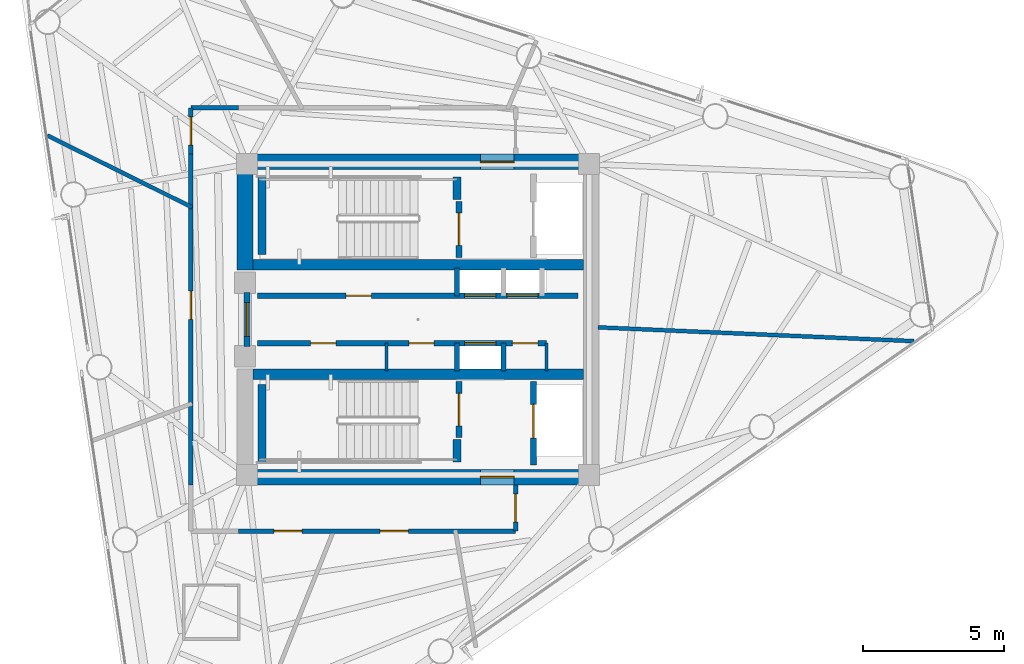
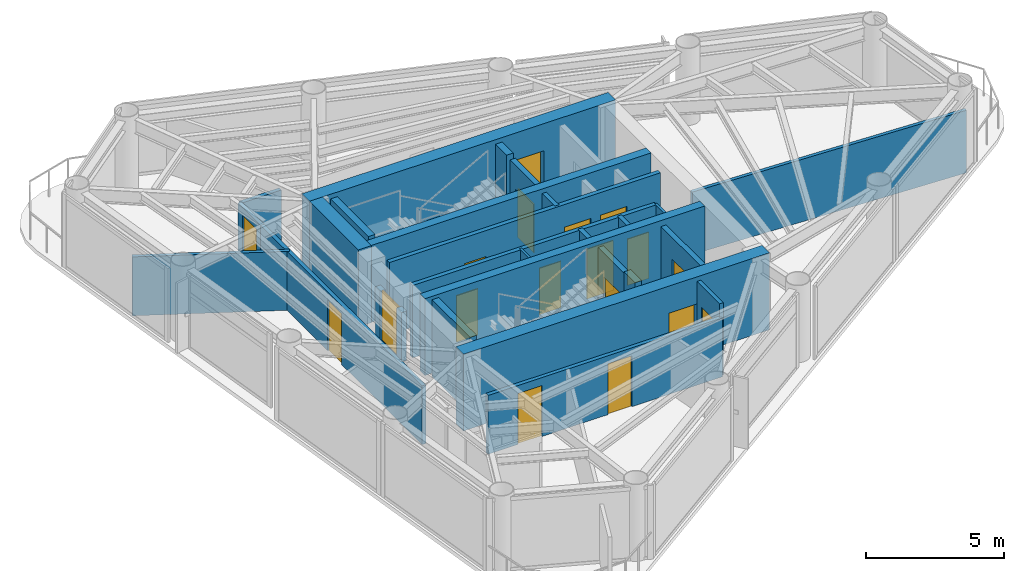
# One storey, part 5 of 9: 27 walls, 18 doors, 18 openings.
"""IFC4 building model written with IfcOpenShell, lengths in metres."""

import ifcopenshell
import ifcopenshell.guid

model = None  # the IFC model being written
_history = None  # IfcOwnerHistory: only IFC2X3 demands one
_inside = {}  # id of a spatial element -> (the spatial element, [elements in it])
_under = {}  # id of a project, library or spatial element -> (it, [spatial elements below it])
_declared = {}  # id of a project -> (the project, [libraries it declares])
_typed = {}  # id of a type object -> (the type object, [elements of that type])
_made_of = {}  # id of a material, layer set ... -> (it, [elements and type objects made of it])


def new_model(schema):
    """Start an empty IFC model of exactly this schema.

    Asked for "IFC4X3", IfcOpenShell would pick the latest addendum, in which some entities
    have other attributes; the version numbers below select the first issue.
    IFC2X3 requires an IfcOwnerHistory on every rooted entity: one is made here for all.
    """
    global model, _history
    if schema == "IFC4X3":
        model = ifcopenshell.file(schema_version=(4, 3, 0, 0))
    else:
        model = ifcopenshell.file(schema=schema)
    _inside.clear()
    _under.clear()
    _declared.clear()
    _typed.clear()
    _made_of.clear()
    _history = None
    if model.schema == "IFC2X3":
        org = make("IfcOrganization", Name="unknown")
        user = make(
            "IfcPersonAndOrganization",
            ThePerson=make("IfcPerson", FamilyName="unknown"),
            TheOrganization=org,
        )
        app = make(
            "IfcApplication",
            ApplicationDeveloper=org,
            Version="unknown",
            ApplicationFullName="unknown",
            ApplicationIdentifier="unknown",
        )
        _history = make(
            "IfcOwnerHistory",
            OwningUser=user,
            OwningApplication=app,
            ChangeAction="ADDED",
            CreationDate=0,
        )
    return model


def make(cls, **values):
    """One entity of the class cls with the attributes given. An attribute that is None is left unset."""
    return model.create_entity(
        cls, **{name: value for name, value in values.items() if value is not None}
    )


def rooted(cls, **values):
    """An entity with a GlobalId (a new one), such as an element, a storey or a relation."""
    return make(cls, GlobalId=ifcopenshell.guid.new(), OwnerHistory=_history, **values)


def si_unit(unit_type, name, prefix=None):
    """IfcSIUnit, for example si_unit("LENGTHUNIT", "METRE", prefix="MILLI")."""
    return make("IfcSIUnit", UnitType=unit_type, Prefix=prefix, Name=name)


def assignment(units):
    """IfcUnitAssignment: the units of a project."""
    return None if units is None else make("IfcUnitAssignment", Units=units)


def point(xyz):
    """IfcCartesianPoint."""
    return None if xyz is None else make("IfcCartesianPoint", Coordinates=xyz)


def direction(xyz):
    """IfcDirection."""
    return None if xyz is None else make("IfcDirection", DirectionRatios=xyz)


def frame(location, z_axis=None, x_axis=None):
    """IfcAxis2Placement3D, a coordinate frame: its origin and axes. An axis left out is left unset."""
    return make(
        "IfcAxis2Placement3D",
        Location=point(location),
        Axis=direction(z_axis),
        RefDirection=direction(x_axis),
    )


def frame_2d(location, x_axis=None):
    """IfcAxis2Placement2D, a coordinate frame in the plane: its origin and x axis."""
    return make(
        "IfcAxis2Placement2D", Location=point(location), RefDirection=direction(x_axis)
    )


def origin():
    """The frame at (0, 0, 0) with its axes left unset."""
    return frame((0.0, 0.0, 0.0))


def place(relative_to, where):
    """IfcLocalPlacement: puts the frame where relative to a parent placement (None: the world)."""
    return make(
        "IfcLocalPlacement", PlacementRelTo=relative_to, RelativePlacement=where
    )


def context(
    kind, dimensions, precision=None, world=None, true_north=None, identifier=None
):
    """IfcGeometricRepresentationContext, for example the 3D "Model" context."""
    return make(
        "IfcGeometricRepresentationContext",
        ContextIdentifier=identifier,
        ContextType=kind,
        CoordinateSpaceDimension=dimensions,
        Precision=precision,
        WorldCoordinateSystem=world,
        TrueNorth=true_north,
    )


def subcontext(parent, identifier, kind, view, scale=None):
    """IfcGeometricRepresentationSubContext, for example "Body" below "Model"."""
    return make(
        "IfcGeometricRepresentationSubContext",
        ContextIdentifier=identifier,
        ContextType=kind,
        ParentContext=parent,
        TargetScale=scale,
        TargetView=view,
    )


def project(units=None, contexts=None):
    """IfcProject with its units and contexts."""
    return rooted(
        "IfcProject",
        Name="project",
        RepresentationContexts=contexts,
        UnitsInContext=assignment(units),
    )


def spatial(cls, under=None, at=None, **own):
    """A site, building, storey or space (cls), placed at a placement, below another one or the project."""
    s = rooted(cls, ObjectPlacement=at, **own)
    if under is not None:
        _under.setdefault(under.id(), (under, []))[1].append(s)
    return s


def profile(cls, at=None, kind="AREA", **sizes):
    """A parametric profile (cls). Its sizes go by their IFC names, for example OverallWidth=200.0."""
    return make(cls, ProfileType=kind, Position=at, **sizes)


def rectangle(**sizes):
    """IfcRectangleProfileDef."""
    return profile("IfcRectangleProfileDef", **sizes)


def extrude(swept, where, along, depth):
    """IfcExtrudedAreaSolid: the profile swept, set in the frame where, extruded along a direction by depth."""
    return make(
        "IfcExtrudedAreaSolid",
        SweptArea=swept,
        Position=where,
        ExtrudedDirection=direction(along),
        Depth=depth,
    )


def shape(context_of_items, identifier, shape_type, items):
    """IfcShapeRepresentation: the items that make up one representation, for example the "Body"."""
    return make(
        "IfcShapeRepresentation",
        ContextOfItems=context_of_items,
        RepresentationIdentifier=identifier,
        RepresentationType=shape_type,
        Items=items,
    )


def material(Name=None, Category=None):
    """IfcMaterial."""
    return make("IfcMaterial", Name=Name, Category=Category)


def layer(
    of_material, thickness, ventilated=None, Name=None, Category=None, Priority=None
):
    """IfcMaterialLayer: one layer of a wall or slab, of a material (None: an air gap)."""
    return make(
        "IfcMaterialLayer",
        Material=of_material,
        LayerThickness=thickness,
        IsVentilated=ventilated,
        Name=Name,
        Category=Category,
        Priority=Priority,
    )


def layer_set(layers, Name=None):
    """IfcMaterialLayerSet."""
    return make("IfcMaterialLayerSet", MaterialLayers=layers, LayerSetName=Name)


def made_of(thing, what):
    """Note that an element or type object is made of a material, layer set ...; save() writes the relation."""
    if what is not None:
        _made_of.setdefault(what.id(), (what, []))[1].append(thing)
    return thing


def type_object(cls, material=None, **own):
    """A type object (cls), such as IfcWallType, which elements share."""
    return made_of(rooted(cls, **own), material)


def element(
    cls,
    number,
    at=None,
    inside=None,
    cuts=None,
    type_object=None,
    material=None,
    context=None,
    identifier="Body",
    shape_type=None,
    held_by="IfcProductDefinitionShape",
    body=None,
    shapes=None,
    **own,
):
    """One element of the class cls, such as IfcWall. Its Tag is "e" and its number.

    at: its placement. inside: the storey or other place that contains it. cuts: it is an
    opening in that element (IfcRelVoidsElement). A single representation is given by context,
    identifier, shape_type and body (its items); several are given by shapes. held_by: the class
    of the entity that holds the representations. save() writes the other relations.
    """
    e = rooted(cls, Tag="e%d" % number, ObjectPlacement=at, **own)
    if body is not None:
        shapes = [shape(context, identifier, shape_type, body)]
    if shapes is not None:
        e.Representation = make(held_by, Representations=shapes)
    if inside is not None:
        _inside.setdefault(inside.id(), (inside, []))[1].append(e)
    if cuts is not None:
        rooted(
            "IfcRelVoidsElement", RelatingBuildingElement=cuts, RelatedOpeningElement=e
        )
    if type_object is not None:
        _typed.setdefault(type_object.id(), (type_object, []))[1].append(e)
    return made_of(e, material)


def fill(opening, filler):
    """IfcRelFillsElement: the door or window that sits in an opening."""
    return rooted(
        "IfcRelFillsElement",
        RelatingOpeningElement=opening,
        RelatedBuildingElement=filler,
    )


def aggregate(whole, parts):
    """IfcRelAggregates: a whole, such as a stair, and the parts it consists of."""
    return rooted("IfcRelAggregates", RelatingObject=whole, RelatedObjects=parts)


def save(model, path):
    """Write the relations noted so far, then the file.

    IfcRelAggregates (storeys below a building ...), IfcRelContainedInSpatialStructure (elements
    in a storey), IfcRelDefinesByType, IfcRelAssociatesMaterial and IfcRelDeclares: one each for
    every whole, place, type object, material and project.
    """
    for whole, parts in _under.values():
        aggregate(whole, parts)
    for where, things in _inside.values():
        rooted(
            "IfcRelContainedInSpatialStructure",
            RelatedElements=things,
            RelatingStructure=where,
        )
    for kind, things in _typed.values():
        rooted("IfcRelDefinesByType", RelatedObjects=things, RelatingType=kind)
    for what, things in _made_of.values():
        rooted("IfcRelAssociatesMaterial", RelatedObjects=things, RelatingMaterial=what)
    for by, libraries in _declared.values():
        rooted("IfcRelDeclares", RelatingContext=by, RelatedDefinitions=libraries)
    model.write(path)


model = new_model("IFC4")

# Units and contexts
model_context = context("Model", 3, precision=1e-05, world=origin(), true_north=direction((0.0, 1.0)))
body_context = subcontext(model_context, "Body", "Model", "MODEL_VIEW")
ifc_project = project(units=[si_unit("LENGTHUNIT", "METRE"), si_unit("AREAUNIT", "SQUARE_METRE"), si_unit("VOLUMEUNIT", "CUBIC_METRE"), si_unit("PLANEANGLEUNIT", "RADIAN"), si_unit("MASSUNIT", "GRAM", prefix="KILO")], contexts=[model_context])

# Site, building, storey
site_placement = place(None, origin())
site = spatial("IfcSite", under=ifc_project, at=site_placement, CompositionType="ELEMENT")
building_placement = place(site_placement, origin())
building = spatial("IfcBuilding", under=site, at=building_placement, Name="Yunling Apex Tower", CompositionType="ELEMENT")
storey_placement = place(building_placement, frame((0.0, 0.0, 271.14990234375)))
storey = spatial("IfcBuildingStorey", under=building, at=storey_placement, Name="L66", CompositionType="ELEMENT", Elevation=271.14990234375)

# Wall, opening, door
ifc_material_1 = material(Name="Concrete C40", Category="concrete")
ifc_layer_1 = layer(ifc_material_1, 0.550048828125)
ifc_layer_set_1 = layer_set([ifc_layer_1], Name="Concrete C40")
wall_type_1 = type_object("IfcWallType", Name="WL-COR-3", PredefinedType="SHEAR", material=ifc_layer_set_1)
wall_1_placement = place(storey_placement, frame((-6.39990234375, 5.574951171875, 0.0), z_axis=(0.0, 0.0, 1.0), x_axis=(1.0, 0.0, 0.0)))
wall_1 = element("IfcWall", 1, at=wall_1_placement, inside=storey, type_object=wall_type_1, Name="L66 North Core Shear Wall", PredefinedType="SHEAR", context=body_context, shape_type="SweptSolid", body=[
    extrude(rectangle(XDim=12.7998046875, YDim=0.550048828125, at=frame_2d((6.39990234375, 0.0))), origin(), (0.0, 0.0, 1.0), 3.400146484375),
])
opening_1_placement = place(wall_1_placement, frame((8.60009765625, 0.0, 0.0)))
opening_1 = element("IfcOpeningElement", 2, at=opening_1_placement, cuts=wall_1, Name="Opening DR-FFL-1", PredefinedType="OPENING", context=body_context, shape_type="SweptSolid", body=[
    extrude(rectangle(XDim=1.199951171875, YDim=2.199951171875, at=frame_2d((0.60009765625, 1.10009765625))), frame((0.0, 0.28515625, 0.0), z_axis=(0.0, -1.0, 0.0), x_axis=(1.0, 0.0, 0.0)), (0.0, 0.0, 1.0), 0.570068359375),
])
ifc_material_2 = material(Name="Steel Q355B", Category="steel")
door_type_1 = type_object("IfcDoorType", Name="DR-FFL-1", OperationType="NOTDEFINED", PredefinedType="DOOR", material=ifc_material_2)
door_1_placement = place(opening_1_placement, origin())
door_1 = element("IfcDoor", 3, at=door_1_placement, inside=storey, type_object=door_type_1, Name="L66 North Firefighting Lobby Door", OperationType="SINGLE_SWING_LEFT", OverallHeight=2.199951171875, OverallWidth=1.199951171875, PredefinedType="DOOR", context=body_context, shape_type="SweptSolid", body=[
    extrude(rectangle(XDim=1.199951171875, YDim=2.199951171875, at=frame_2d((0.60009765625, 1.10009765625))), frame((0.0, 0.02490234375, 0.0), z_axis=(0.0, -1.0, 0.0), x_axis=(1.0, 0.0, 0.0)), (0.0, 0.0, 1.0), 0.050048828125),
])
fill(opening_1, door_1)

wall_2_placement = place(storey_placement, frame((-6.39990234375, -5.574951171875, 0.0), z_axis=(0.0, 0.0, 1.0), x_axis=(1.0, 0.0, 0.0)))
wall_2 = element("IfcWall", 4, at=wall_2_placement, inside=storey, type_object=wall_type_1, Name="L66 South Core Shear Wall", PredefinedType="SHEAR", context=body_context, shape_type="SweptSolid", body=[
    extrude(rectangle(XDim=12.7998046875, YDim=0.550048828125, at=frame_2d((6.39990234375, 0.0))), origin(), (0.0, 0.0, 1.0), 3.400146484375),
])
opening_2_placement = place(wall_2_placement, frame((8.60009765625, 0.0, 0.0)))
opening_2 = element("IfcOpeningElement", 5, at=opening_2_placement, cuts=wall_2, Name="Opening DR-FFL-1", PredefinedType="OPENING", context=body_context, shape_type="SweptSolid", body=[
    extrude(rectangle(XDim=1.199951171875, YDim=2.199951171875, at=frame_2d((0.60009765625, 1.10009765625))), frame((0.0, 0.28515625, 0.0), z_axis=(0.0, -1.0, 0.0), x_axis=(1.0, 0.0, 0.0)), (0.0, 0.0, 1.0), 0.570068359375),
])
door_2_placement = place(opening_2_placement, origin())
door_2 = element("IfcDoor", 6, at=door_2_placement, inside=storey, type_object=door_type_1, Name="L66 South Firefighting Lobby Door", OperationType="SINGLE_SWING_RIGHT", OverallHeight=2.199951171875, OverallWidth=1.199951171875, PredefinedType="DOOR", context=body_context, shape_type="SweptSolid", body=[
    extrude(rectangle(XDim=1.199951171875, YDim=2.199951171875, at=frame_2d((0.60009765625, 1.10009765625))), frame((0.0, 0.02490234375, 0.0), z_axis=(0.0, -1.0, 0.0), x_axis=(1.0, 0.0, 0.0)), (0.0, 0.0, 1.0), 0.050048828125),
])
fill(opening_2, door_2)

# Walls
wall_3_placement = place(storey_placement, frame((-6.125, 1.75, 0.0), z_axis=(0.0, 0.0, 1.0), x_axis=(0.0, 1.0, 0.0)))
element("IfcWall", 7, at=wall_3_placement, inside=storey, type_object=wall_type_1, Name="L66 West-North Core Shear Wall", PredefinedType="SHEAR", context=body_context, shape_type="SweptSolid", body=[
    extrude(rectangle(XDim=3.550048828125, YDim=0.550048828125, at=frame_2d((1.77490234375, 0.0))), origin(), (0.0, 0.0, 1.0), 3.400146484375),
])
ifc_layer_2 = layer(ifc_material_1, 0.360107421875)
ifc_layer_set_2 = layer_set([ifc_layer_2], Name="Concrete C40")
wall_type_2 = type_object("IfcWallType", Name="WL-COR-4", PredefinedType="SHEAR", material=ifc_layer_set_2)
for number, where, z_axis, x_axis, name in (
    (8, (-5.85009765625, 1.93994140625, 0.0), (0.0, 0.0, 1.0), (1.0, 0.0, 0.0), "L66 North Internal Core Shear Wall"),
    (9, (-5.85009765625, -1.93994140625, 0.0), (0.0, 0.0, 1.0), (1.0, 0.0, 0.0), "L66 South Internal Core Shear Wall"),
):
    element("IfcWall", number, at=place(storey_placement, frame(where, z_axis=z_axis, x_axis=x_axis)), inside=storey, type_object=wall_type_2, Name=name, PredefinedType="SHEAR", context=body_context, shape_type="SweptSolid", body=[
        extrude(rectangle(XDim=11.7001953125, YDim=0.360107421875, at=frame_2d((5.85009765625, 0.0))), origin(), (0.0, 0.0, 1.0), 3.400146484375),
    ])
ifc_layer_3 = layer(ifc_material_1, 0.280029296875)
ifc_layer_set_3 = layer_set([ifc_layer_3], Name="Concrete C40")
wall_type_3 = type_object("IfcWallType", Name="WL-COR-8", PredefinedType="SHEAR", material=ifc_layer_set_3)
wall_4_placement = place(storey_placement, frame((-5.52001953125, 2.300048828125, 0.0), z_axis=(0.0, 0.0, 1.0), x_axis=(0.0, 1.0, 0.0)))
element("IfcWall", 10, at=wall_4_placement, inside=storey, type_object=wall_type_3, Name="L66 ST-1 West Landing Bearing Wall", PredefinedType="SHEAR", context=body_context, shape_type="SweptSolid", body=[
    extrude(rectangle(XDim=2.75, YDim=0.280029296875, at=frame_2d((1.375, 0.0))), origin(), (0.0, 0.0, 1.0), 3.400146484375),
])
wall_5_placement = place(storey_placement, frame((1.3798828125, 4.25, 0.0), z_axis=(0.0, 0.0, 1.0), x_axis=(0.0, 1.0, 0.0)))
element("IfcWall", 11, at=wall_5_placement, inside=storey, type_object=wall_type_3, Name="L66 ST-1 East Landing Bearing Pier", PredefinedType="SHEAR", context=body_context, shape_type="SweptSolid", body=[
    extrude(rectangle(XDim=0.800048828125, YDim=0.280029296875, at=frame_2d((0.39990234375, 0.0))), origin(), (0.0, 0.0, 1.0), 3.400146484375),
])
wall_6_placement = place(storey_placement, frame((-5.52001953125, -5.050048828125, 0.0), z_axis=(0.0, 0.0, 1.0), x_axis=(0.0, 1.0, 0.0)))
element("IfcWall", 12, at=wall_6_placement, inside=storey, type_object=wall_type_3, Name="L66 ST-2 West Landing Bearing Wall", PredefinedType="SHEAR", context=body_context, shape_type="SweptSolid", body=[
    extrude(rectangle(XDim=2.75, YDim=0.280029296875, at=frame_2d((1.375, 0.0))), origin(), (0.0, 0.0, 1.0), 3.400146484375),
])
wall_7_placement = place(storey_placement, frame((1.3798828125, -5.050048828125, 0.0), z_axis=(0.0, 0.0, 1.0), x_axis=(0.0, 1.0, 0.0)))
element("IfcWall", 13, at=wall_7_placement, inside=storey, type_object=wall_type_3, Name="L66 ST-2 East Landing Bearing Pier", PredefinedType="SHEAR", context=body_context, shape_type="SweptSolid", body=[
    extrude(rectangle(XDim=0.800048828125, YDim=0.280029296875, at=frame_2d((0.39990234375, 0.0))), origin(), (0.0, 0.0, 1.0), 3.400146484375),
])

# Wall, opening, door
ifc_material_3 = material(Name="Gypsum board acoustic partition")
ifc_layer_4 = layer(ifc_material_3, 0.159912109375)
ifc_layer_set_4 = layer_set([ifc_layer_4], Name="Gypsum board acoustic partition")
wall_type_4 = type_object("IfcWallType", Name="WL-PRT-1", PredefinedType="PARTITIONING", material=ifc_layer_set_4)
wall_8_placement = place(storey_placement, frame((-8.0400390625, 5.85009765625, 0.0), z_axis=(0.0, 0.0, 1.0), x_axis=(0.0, 1.0, 0.0)))
wall_8 = element("IfcWall", 14, at=wall_8_placement, inside=storey, type_object=wall_type_4, Name="WL-CORR-L66-01", PredefinedType="PARTITIONING", context=body_context, shape_type="SweptSolid", body=[
    extrude(rectangle(XDim=1.639892578125, YDim=0.159912109375, at=frame_2d((0.81982421875, 0.0))), origin(), (0.0, 0.0, 1.0), 2.60498046875),
])
opening_3_placement = place(wall_8_placement, frame((0.320068359375, 0.0, 0.0)))
opening_3 = element("IfcOpeningElement", 15, at=opening_3_placement, cuts=wall_8, Name="Opening DR-OFF-1", PredefinedType="OPENING", context=body_context, shape_type="SweptSolid", body=[
    extrude(rectangle(XDim=1.0, YDim=2.25, at=frame_2d((0.5, 1.125))), frame((0.0, 0.08984375, 0.0), z_axis=(0.0, -1.0, 0.0), x_axis=(1.0, 0.0, 0.0)), (0.0, 0.0, 1.0), 0.179931640625),
])
ifc_material_4 = material(Name="Bronze anodised aluminium", Category="aluminium")
door_type_2 = type_object("IfcDoorType", Name="DR-OFF-1", OperationType="NOTDEFINED", PredefinedType="DOOR", material=ifc_material_4)
door_3_placement = place(opening_3_placement, origin())
door_3 = element("IfcDoor", 16, at=door_3_placement, inside=storey, type_object=door_type_2, Name="L66 Residents Music Salon Door", OperationType="SINGLE_SWING_RIGHT", OverallHeight=2.25, OverallWidth=1.0, PredefinedType="DOOR", context=body_context, shape_type="SweptSolid", body=[
    extrude(rectangle(XDim=1.0, YDim=2.25, at=frame_2d((0.5, 1.125))), frame((0.0, 0.02490234375, 0.0), z_axis=(0.0, -1.0, 0.0), x_axis=(1.0, 0.0, 0.0)), (0.0, 0.0, 1.0), 0.050048828125),
])
fill(opening_3, door_3)

# Wall
wall_9_placement = place(storey_placement, frame((-8.0400390625, 7.489990234375, 0.0), z_axis=(0.0, 0.0, 1.0), x_axis=(1.0, 0.0, 0.0)))
element("IfcWall", 17, at=wall_9_placement, inside=storey, type_object=wall_type_4, Name="WL-CORR-L66-02", PredefinedType="PARTITIONING", context=body_context, shape_type="SweptSolid", body=[
    extrude(rectangle(XDim=1.679931640625, YDim=0.159912109375, at=frame_2d((0.83984375, 0.0))), origin(), (0.0, 0.0, 1.0), 2.60498046875),
])

# Wall, opening, door
wall_10_placement = place(storey_placement, frame((3.449951171875, -5.85009765625, 0.0), z_axis=(0.0, 0.0, 1.0), x_axis=(0.0, -1.0, 0.0)))
wall_10 = element("IfcWall", 18, at=wall_10_placement, inside=storey, type_object=wall_type_4, Name="WL-CORR-L66-05", PredefinedType="PARTITIONING", context=body_context, shape_type="SweptSolid", body=[
    extrude(rectangle(XDim=1.639892578125, YDim=0.159912109375, at=frame_2d((0.81982421875, 0.0))), origin(), (0.0, 0.0, 1.0), 3.2001953125),
])
opening_4_placement = place(wall_10_placement, frame((0.320068359375, 0.0, 0.0)))
opening_4 = element("IfcOpeningElement", 19, at=opening_4_placement, cuts=wall_10, Name="Opening DR-OFF-1", PredefinedType="OPENING", context=body_context, shape_type="SweptSolid", body=[
    extrude(rectangle(XDim=1.0, YDim=2.25, at=frame_2d((0.5, 1.125))), frame((0.0, 0.08984375, 0.0), z_axis=(0.0, -1.0, 0.0), x_axis=(1.0, 0.0, 0.0)), (0.0, 0.0, 1.0), 0.179931640625),
])
door_4_placement = place(opening_4_placement, origin())
door_4 = element("IfcDoor", 20, at=door_4_placement, inside=storey, type_object=door_type_2, Name="L66 Residents Cinema Club Door", OperationType="SINGLE_SWING_LEFT", OverallHeight=2.25, OverallWidth=1.0, PredefinedType="DOOR", context=body_context, shape_type="SweptSolid", body=[
    extrude(rectangle(XDim=1.0, YDim=2.25, at=frame_2d((0.5, 1.125))), frame((0.0, 0.02490234375, 0.0), z_axis=(0.0, -1.0, 0.0), x_axis=(1.0, 0.0, 0.0)), (0.0, 0.0, 1.0), 0.050048828125),
])
fill(opening_4, door_4)

# Wall, openings, doors
wall_11_placement = place(storey_placement, frame((3.449951171875, -7.489990234375, 0.0), z_axis=(0.0, 0.0, 1.0), x_axis=(-1.0, 0.0, 0.0)))
wall_11 = element("IfcWall", 21, at=wall_11_placement, inside=storey, type_object=wall_type_4, Name="WL-CORR-L66-06", PredefinedType="PARTITIONING", context=body_context, shape_type="SweptSolid", body=[
    extrude(rectangle(XDim=9.81005859375, YDim=0.159912109375, at=frame_2d((4.905029296875, 0.0))), origin(), (0.0, 0.0, 1.0), 2.60498046875),
])
opening_5_placement = place(wall_11_placement, frame((3.794677734375, 0.0, 0.0)))
opening_5 = element("IfcOpeningElement", 22, at=opening_5_placement, cuts=wall_11, Name="Opening DR-OFF-1", PredefinedType="OPENING", context=body_context, shape_type="SweptSolid", body=[
    extrude(rectangle(XDim=1.0, YDim=2.25, at=frame_2d((0.5, 1.125))), frame((0.0, 0.08984375, 0.0), z_axis=(0.0, -1.0, 0.0), x_axis=(1.0, 0.0, 0.0)), (0.0, 0.0, 1.0), 0.179931640625),
])
opening_6_placement = place(wall_11_placement, frame((7.552978515625, 0.0, 0.0)))
opening_6 = element("IfcOpeningElement", 23, at=opening_6_placement, cuts=wall_11, Name="Opening DR-OFF-1", PredefinedType="OPENING", context=body_context, shape_type="SweptSolid", body=[
    extrude(rectangle(XDim=1.0, YDim=2.25, at=frame_2d((0.5, 1.125))), frame((0.0, 0.08984375, 0.0), z_axis=(0.0, -1.0, 0.0), x_axis=(1.0, 0.0, 0.0)), (0.0, 0.0, 1.0), 0.179931640625),
])
door_5_placement = place(opening_5_placement, origin())
door_5 = element("IfcDoor", 24, at=door_5_placement, inside=storey, type_object=door_type_2, Name="L66 Residents Music Salon Door", OperationType="SINGLE_SWING_RIGHT", OverallHeight=2.25, OverallWidth=1.0, PredefinedType="DOOR", context=body_context, shape_type="SweptSolid", body=[
    extrude(rectangle(XDim=1.0, YDim=2.25, at=frame_2d((0.5, 1.125))), frame((0.0, 0.02490234375, 0.0), z_axis=(0.0, -1.0, 0.0), x_axis=(1.0, 0.0, 0.0)), (0.0, 0.0, 1.0), 0.050048828125),
])
fill(opening_5, door_5)
door_6_placement = place(opening_6_placement, origin())
door_6 = element("IfcDoor", 25, at=door_6_placement, inside=storey, type_object=door_type_2, Name="L66 Residents Cinema Club Door", OperationType="SINGLE_SWING_LEFT", OverallHeight=2.25, OverallWidth=1.0, PredefinedType="DOOR", context=body_context, shape_type="SweptSolid", body=[
    extrude(rectangle(XDim=1.0, YDim=2.25, at=frame_2d((0.5, 1.125))), frame((0.0, 0.02490234375, 0.0), z_axis=(0.0, -1.0, 0.0), x_axis=(1.0, 0.0, 0.0)), (0.0, 0.0, 1.0), 0.050048828125),
])
fill(opening_6, door_6)

# Wall, opening, door
wall_12_placement = place(storey_placement, frame((-8.0400390625, -5.85009765625, 0.0), z_axis=(0.0, 0.0, 1.0), x_axis=(0.0, 1.0, 0.0)))
wall_12 = element("IfcWall", 26, at=wall_12_placement, inside=storey, type_object=wall_type_4, Name="WL-CORR-L66-09", PredefinedType="PARTITIONING", context=body_context, shape_type="SweptSolid", body=[
    extrude(rectangle(XDim=11.7001953125, YDim=0.159912109375, at=frame_2d((5.85009765625, 0.0))), origin(), (0.0, 0.0, 1.0), 2.60498046875),
])
opening_7_placement = place(wall_12_placement, frame((5.85546875, 0.0, 0.0)))
opening_7 = element("IfcOpeningElement", 27, at=opening_7_placement, cuts=wall_12, Name="Opening DR-OFF-1", PredefinedType="OPENING", context=body_context, shape_type="SweptSolid", body=[
    extrude(rectangle(XDim=1.0, YDim=2.25, at=frame_2d((0.5, 1.125))), frame((0.0, 0.08984375, 0.0), z_axis=(0.0, -1.0, 0.0), x_axis=(1.0, 0.0, 0.0)), (0.0, 0.0, 1.0), 0.179931640625),
])
door_7_placement = place(opening_7_placement, origin())
door_7 = element("IfcDoor", 28, at=door_7_placement, inside=storey, type_object=door_type_2, Name="L66 Residents Cinema Club Door", OperationType="SINGLE_SWING_RIGHT", OverallHeight=2.25, OverallWidth=1.0, PredefinedType="DOOR", context=body_context, shape_type="SweptSolid", body=[
    extrude(rectangle(XDim=1.0, YDim=2.25, at=frame_2d((0.5, 1.125))), frame((0.0, 0.02490234375, 0.0), z_axis=(0.0, -1.0, 0.0), x_axis=(1.0, 0.0, 0.0)), (0.0, 0.0, 1.0), 0.050048828125),
])
fill(opening_7, door_7)

# Walls
ifc_layer_5 = layer(ifc_material_3, 0.139892578125)
ifc_layer_set_5 = layer_set([ifc_layer_5], Name="Gypsum board acoustic partition")
wall_type_5 = type_object("IfcWallType", Name="WL-PRT-2", PredefinedType="PARTITIONING", material=ifc_layer_set_5)
wall_13_placement = place(storey_placement, frame((6.360107421875, -0.277587890625, 0.0), z_axis=(0.0, 0.0, 1.0), x_axis=(0.999047788643, -0.043629302162, 0.0)))
element("IfcWall", 29, at=wall_13_placement, inside=storey, type_object=wall_type_5, Name="WL-RAD-L66-01", PredefinedType="PARTITIONING", context=body_context, shape_type="SweptSolid", body=[
    extrude(rectangle(XDim=11.197265625, YDim=0.139892578125, at=frame_2d((5.5986328125, 0.0))), origin(), (0.0, 0.0, 1.0), 2.76513671875),
])
wall_14_placement = place(storey_placement, frame((-8.0, 3.97119140625, 0.0), z_axis=(0.0, 0.0, 1.0), x_axis=(-0.895714476241, 0.444629707793, 0.0)))
element("IfcWall", 30, at=wall_14_placement, inside=storey, type_object=wall_type_5, Name="WL-RAD-L66-04", PredefinedType="PARTITIONING", context=body_context, shape_type="SweptSolid", body=[
    extrude(rectangle(XDim=5.7109375, YDim=0.139892578125, at=frame_2d((2.85546875, 0.0))), origin(), (0.0, 0.0, 1.0), 2.60498046875),
])
ifc_layer_6 = layer(ifc_material_3, 0.10009765625)
ifc_layer_set_6 = layer_set([ifc_layer_6], Name="Gypsum board acoustic partition")
wall_type_6 = type_object("IfcWallType", Name="WL-PRT-4", PredefinedType="PARTITIONING", material=ifc_layer_set_6)
for number, where, z_axis, x_axis, name in (
    (31, (-1.1201171875, -1.820068359375, 0.0), (0.0, 0.0, 1.0), (0.0, 1.0, 0.0), "WL-RECLMA-S-L66"),
    (32, (4.5400390625, -1.820068359375, 0.0), (0.0, 0.0, 1.0), (0.0, 1.0, 0.0), "WL-KASE-E-L66"),
):
    element("IfcWall", number, at=place(storey_placement, frame(where, z_axis=z_axis, x_axis=x_axis)), inside=storey, type_object=wall_type_6, Name=name, PredefinedType="PARTITIONING", context=body_context, shape_type="SweptSolid", body=[
        extrude(rectangle(XDim=0.97998046875, YDim=0.10009765625, at=frame_2d((0.489990234375, 0.0))), origin(), (0.0, 0.0, 1.0), 3.2001953125),
    ])

# Wall, opening, door
ifc_material_5 = material(Name="Autoclaved aerated concrete masonry", Category="masonry")
ifc_layer_7 = layer(ifc_material_5, 0.219970703125)
ifc_layer_set_7 = layer_set([ifc_layer_7], Name="Autoclaved aerated concrete masonry")
wall_type_7 = type_object("IfcWallType", Name="WL-SHF-1", PredefinedType="PLUMBINGWALL", material=ifc_layer_set_7)
wall_15_placement = place(storey_placement, frame((-6.050048828125, -0.949951171875, 0.0), z_axis=(0.0, 0.0, 1.0), x_axis=(0.0, 1.0, 0.0)))
wall_15 = element("IfcWall", 33, at=wall_15_placement, inside=storey, type_object=wall_type_7, Name="WL-COR-WPORT-L66", PredefinedType="PLUMBINGWALL", context=body_context, shape_type="SweptSolid", body=[
    extrude(rectangle(XDim=1.89990234375, YDim=0.219970703125, at=frame_2d((0.949951171875, 0.0))), origin(), (0.0, 0.0, 1.0), 2.18017578125),
])
opening_8_placement = place(wall_15_placement, frame((0.35009765625, 0.0, 0.0)))
opening_8 = element("IfcOpeningElement", 34, at=opening_8_placement, cuts=wall_15, Name="Opening DR-FFL-1", PredefinedType="OPENING", context=body_context, shape_type="SweptSolid", body=[
    extrude(rectangle(XDim=1.199951171875, YDim=2.199951171875, at=frame_2d((0.60009765625, 1.10009765625))), frame((0.0, 0.1201171875, 0.0), z_axis=(0.0, -1.0, 0.0), x_axis=(1.0, 0.0, 0.0)), (0.0, 0.0, 1.0), 0.239990234375),
])
door_8_placement = place(opening_8_placement, origin())
door_8 = element("IfcDoor", 35, at=door_8_placement, inside=storey, type_object=door_type_1, Name="L66 Passenger Lift Lobby Entrance Door", OperationType="SINGLE_SWING_LEFT", OverallHeight=2.199951171875, OverallWidth=1.199951171875, PredefinedType="DOOR", context=body_context, shape_type="SweptSolid", body=[
    extrude(rectangle(XDim=1.199951171875, YDim=2.199951171875, at=frame_2d((0.60009765625, 1.10009765625))), frame((0.0, 0.02490234375, 0.0), z_axis=(0.0, -1.0, 0.0), x_axis=(1.0, 0.0, 0.0)), (0.0, 0.0, 1.0), 0.050048828125),
])
fill(opening_8, door_8)

wall_16_placement = place(storey_placement, frame((1.449951171875, 2.199951171875, 0.0), z_axis=(0.0, 0.0, 1.0), x_axis=(0.0, 1.0, 0.0)))
wall_16 = element("IfcWall", 36, at=wall_16_placement, inside=storey, type_object=wall_type_7, Name="WL-ST1-E-L66", PredefinedType="PLUMBINGWALL", context=body_context, shape_type="SweptSolid", body=[
    extrude(rectangle(XDim=1.97998046875, YDim=0.219970703125, at=frame_2d((0.989990234375, 0.0))), origin(), (0.0, 0.0, 1.0), 3.2001953125),
])
opening_9_placement = place(wall_16_placement, frame((0.419921875, 0.0, 0.0)))
opening_9 = element("IfcOpeningElement", 37, at=opening_9_placement, cuts=wall_16, Name="Opening DR-ST-1", PredefinedType="OPENING", context=body_context, shape_type="SweptSolid", body=[
    extrude(rectangle(XDim=1.14990234375, YDim=2.14990234375, at=frame_2d((0.574951171875, 1.074951171875))), frame((0.0, 0.1201171875, 0.0), z_axis=(0.0, -1.0, 0.0), x_axis=(1.0, 0.0, 0.0)), (0.0, 0.0, 1.0), 0.239990234375),
])
door_type_3 = type_object("IfcDoorType", Name="DR-ST-1", OperationType="NOTDEFINED", PredefinedType="DOOR", material=ifc_material_2)
door_9_placement = place(opening_9_placement, origin())
door_9 = element("IfcDoor", 38, at=door_9_placement, inside=storey, type_object=door_type_3, Name="L66 Stair ST-1 Fire Door", OperationType="SINGLE_SWING_LEFT", OverallHeight=2.14990234375, OverallWidth=1.14990234375, PredefinedType="DOOR", context=body_context, shape_type="SweptSolid", body=[
    extrude(rectangle(XDim=1.14990234375, YDim=2.14990234375, at=frame_2d((0.574951171875, 1.074951171875))), frame((0.0, 0.02490234375, 0.0), z_axis=(0.0, -1.0, 0.0), x_axis=(1.0, 0.0, 0.0)), (0.0, 0.0, 1.0), 0.050048828125),
])
fill(opening_9, door_9)

wall_17_placement = place(storey_placement, frame((1.449951171875, -4.179931640625, 0.0), z_axis=(0.0, 0.0, 1.0), x_axis=(0.0, 1.0, 0.0)))
wall_17 = element("IfcWall", 39, at=wall_17_placement, inside=storey, type_object=wall_type_7, Name="WL-ST2-E-L66", PredefinedType="PLUMBINGWALL", context=body_context, shape_type="SweptSolid", body=[
    extrude(rectangle(XDim=1.97998046875, YDim=0.219970703125, at=frame_2d((0.989990234375, 0.0))), origin(), (0.0, 0.0, 1.0), 3.2001953125),
])
opening_10_placement = place(wall_17_placement, frame((0.419921875, 0.0, 0.0)))
opening_10 = element("IfcOpeningElement", 40, at=opening_10_placement, cuts=wall_17, Name="Opening DR-ST-1", PredefinedType="OPENING", context=body_context, shape_type="SweptSolid", body=[
    extrude(rectangle(XDim=1.14990234375, YDim=2.14990234375, at=frame_2d((0.574951171875, 1.074951171875))), frame((0.0, 0.1201171875, 0.0), z_axis=(0.0, -1.0, 0.0), x_axis=(1.0, 0.0, 0.0)), (0.0, 0.0, 1.0), 0.239990234375),
])
door_10_placement = place(opening_10_placement, origin())
door_10 = element("IfcDoor", 41, at=door_10_placement, inside=storey, type_object=door_type_3, Name="L66 Stair ST-2 Fire Door", OperationType="SINGLE_SWING_RIGHT", OverallHeight=2.14990234375, OverallWidth=1.14990234375, PredefinedType="DOOR", context=body_context, shape_type="SweptSolid", body=[
    extrude(rectangle(XDim=1.14990234375, YDim=2.14990234375, at=frame_2d((0.574951171875, 1.074951171875))), frame((0.0, 0.02490234375, 0.0), z_axis=(0.0, -1.0, 0.0), x_axis=(1.0, 0.0, 0.0)), (0.0, 0.0, 1.0), 0.050048828125),
])
fill(opening_10, door_10)

wall_18_placement = place(storey_placement, frame((4.080078125, -5.14990234375, 0.0), z_axis=(0.0, 0.0, 1.0), x_axis=(0.0, 1.0, 0.0)))
wall_18 = element("IfcWall", 42, at=wall_18_placement, inside=storey, type_object=wall_type_7, Name="WL-FFL2-W-L66", PredefinedType="PLUMBINGWALL", context=body_context, shape_type="SweptSolid", body=[
    extrude(rectangle(XDim=2.949951171875, YDim=0.219970703125, at=frame_2d((1.47509765625, 0.0))), origin(), (0.0, 0.0, 1.0), 3.2001953125),
])
opening_11_placement = place(wall_18_placement, frame((0.949951171875, 0.0, 0.0)))
opening_11 = element("IfcOpeningElement", 43, at=opening_11_placement, cuts=wall_18, Name="Opening LD-FFL-1", PredefinedType="OPENING", context=body_context, shape_type="SweptSolid", body=[
    extrude(rectangle(XDim=1.199951171875, YDim=2.25, at=frame_2d((0.60009765625, 1.125))), frame((0.0, 0.1201171875, 0.0), z_axis=(0.0, -1.0, 0.0), x_axis=(1.0, 0.0, 0.0)), (0.0, 0.0, 1.0), 0.239990234375),
])
door_type_4 = type_object("IfcDoorType", Name="LD-FFL-1", OperationType="DOUBLE_DOOR_SLIDING", PredefinedType="DOOR", material=ifc_material_2)
door_11_placement = place(opening_11_placement, origin())
door_11 = element("IfcDoor", 44, at=door_11_placement, inside=storey, type_object=door_type_4, Name="L66 Lift FFL-2 Landing Door", OperationType="DOUBLE_DOOR_SLIDING", OverallHeight=2.25, OverallWidth=1.199951171875, PredefinedType="DOOR", context=body_context, shape_type="SweptSolid", body=[
    extrude(rectangle(XDim=1.199951171875, YDim=2.25, at=frame_2d((0.60009765625, 1.125))), frame((0.0, 0.02490234375, 0.0), z_axis=(0.0, -1.0, 0.0), x_axis=(1.0, 0.0, 0.0)), (0.0, 0.0, 1.0), 0.050048828125),
])
fill(opening_11, door_11)

# Walls
ifc_layer_8 = layer(ifc_material_5, 0.179931640625)
ifc_layer_set_8 = layer_set([ifc_layer_8], Name="Autoclaved aerated concrete masonry")
wall_type_8 = type_object("IfcWallType", Name="WL-SHF-2", PredefinedType="PLUMBINGWALL", material=ifc_layer_set_8)
for number, where, z_axis, x_axis, name in (
    (45, (1.3798828125, 0.840087890625, 0.0), (0.0, 0.0, 1.0), (0.0, 1.0, 0.0), "WL-BNK-MH-N-L66"),
    (46, (1.3798828125, -1.820068359375, 0.0), (0.0, 0.0, 1.0), (0.0, 1.0, 0.0), "WL-BNK-MH-S-L66"),
    (47, (3.02001953125, -1.820068359375, 0.0), (0.0, 0.0, 1.0), (0.0, 1.0, 0.0), "WL-END-H2E-L66"),
):
    element("IfcWall", number, at=place(storey_placement, frame(where, z_axis=z_axis, x_axis=x_axis)), inside=storey, type_object=wall_type_8, Name=name, PredefinedType="PLUMBINGWALL", context=body_context, shape_type="SweptSolid", body=[
        extrude(rectangle(XDim=0.97998046875, YDim=0.179931640625, at=frame_2d((0.489990234375, 0.0))), origin(), (0.0, 0.0, 1.0), 3.2001953125),
    ])

# Wall, openings, doors
wall_19_placement = place(storey_placement, frame((-5.679931640625, 0.840087890625, 0.0), z_axis=(0.0, 0.0, 1.0), x_axis=(1.0, 0.0, 0.0)))
wall_19 = element("IfcWall", 48, at=wall_19_placement, inside=storey, type_object=wall_type_8, Name="WL-LOB-N-L66", PredefinedType="PLUMBINGWALL", context=body_context, shape_type="SweptSolid", body=[
    extrude(rectangle(XDim=11.329833984375, YDim=0.179931640625, at=frame_2d((5.6650390625, 0.0))), origin(), (0.0, 0.0, 1.0), 3.2001953125),
])
opening_12_placement = place(wall_19_placement, frame((3.1298828125, 0.0, 0.0)))
opening_12 = element("IfcOpeningElement", 49, at=opening_12_placement, cuts=wall_19, Name="Opening DR-SHF-1", PredefinedType="OPENING", context=body_context, shape_type="SweptSolid", body=[
    extrude(rectangle(XDim=0.89990234375, YDim=2.050048828125, at=frame_2d((0.449951171875, 1.02490234375))), frame((0.0, 0.10009765625, 0.0), z_axis=(0.0, -1.0, 0.0), x_axis=(1.0, 0.0, 0.0)), (0.0, 0.0, 1.0), 0.199951171875),
])
opening_13_placement = place(wall_19_placement, frame((7.330078125, 0.0, 0.0)))
opening_13 = element("IfcOpeningElement", 50, at=opening_13_placement, cuts=wall_19, Name="Opening LD-PAS-1", PredefinedType="OPENING", context=body_context, shape_type="SweptSolid", body=[
    extrude(rectangle(XDim=1.10009765625, YDim=2.199951171875, at=frame_2d((0.550048828125, 1.10009765625))), frame((0.0, 0.10009765625, 0.0), z_axis=(0.0, -1.0, 0.0), x_axis=(1.0, 0.0, 0.0)), (0.0, 0.0, 1.0), 0.199951171875),
])
opening_14_placement = place(wall_19_placement, frame((8.830078125, 0.0, 0.0)))
opening_14 = element("IfcOpeningElement", 51, at=opening_14_placement, cuts=wall_19, Name="Opening LD-PAS-1", PredefinedType="OPENING", context=body_context, shape_type="SweptSolid", body=[
    extrude(rectangle(XDim=1.10009765625, YDim=2.199951171875, at=frame_2d((0.550048828125, 1.10009765625))), frame((0.0, 0.10009765625, 0.0), z_axis=(0.0, -1.0, 0.0), x_axis=(1.0, 0.0, 0.0)), (0.0, 0.0, 1.0), 0.199951171875),
])
door_type_5 = type_object("IfcDoorType", Name="DR-SHF-1", OperationType="NOTDEFINED", PredefinedType="DOOR", material=ifc_material_2)
door_12_placement = place(opening_12_placement, origin())
door_12 = element("IfcDoor", 52, at=door_12_placement, inside=storey, type_object=door_type_5, Name="L66 Archive Store Door", OperationType="SINGLE_SWING_LEFT", OverallHeight=2.050048828125, OverallWidth=0.89990234375, PredefinedType="DOOR", context=body_context, shape_type="SweptSolid", body=[
    extrude(rectangle(XDim=0.89990234375, YDim=2.050048828125, at=frame_2d((0.449951171875, 1.02490234375))), frame((0.0, 0.02490234375, 0.0), z_axis=(0.0, -1.0, 0.0), x_axis=(1.0, 0.0, 0.0)), (0.0, 0.0, 1.0), 0.050048828125),
])
fill(opening_12, door_12)
ifc_material_6 = material(Name="Silver anodised aluminium", Category="aluminium")
door_type_6 = type_object("IfcDoorType", Name="LD-PAS-1", OperationType="DOUBLE_DOOR_SLIDING", PredefinedType="DOOR", material=ifc_material_6)
door_13_placement = place(opening_13_placement, origin())
door_13 = element("IfcDoor", 53, at=door_13_placement, inside=storey, type_object=door_type_6, Name="L66 Lift PL-H1 Landing Door", OperationType="DOUBLE_DOOR_SLIDING", OverallHeight=2.199951171875, OverallWidth=1.10009765625, PredefinedType="DOOR", context=body_context, shape_type="SweptSolid", body=[
    extrude(rectangle(XDim=1.10009765625, YDim=2.199951171875, at=frame_2d((0.550048828125, 1.10009765625))), frame((0.0, 0.02490234375, 0.0), z_axis=(0.0, -1.0, 0.0), x_axis=(1.0, 0.0, 0.0)), (0.0, 0.0, 1.0), 0.050048828125),
])
fill(opening_13, door_13)
door_14_placement = place(opening_14_placement, origin())
door_14 = element("IfcDoor", 54, at=door_14_placement, inside=storey, type_object=door_type_6, Name="L66 Lift PL-H3 Landing Door", OperationType="DOUBLE_DOOR_SLIDING", OverallHeight=2.199951171875, OverallWidth=1.10009765625, PredefinedType="DOOR", context=body_context, shape_type="SweptSolid", body=[
    extrude(rectangle(XDim=1.10009765625, YDim=2.199951171875, at=frame_2d((0.550048828125, 1.10009765625))), frame((0.0, 0.02490234375, 0.0), z_axis=(0.0, -1.0, 0.0), x_axis=(1.0, 0.0, 0.0)), (0.0, 0.0, 1.0), 0.050048828125),
])
fill(opening_14, door_14)

wall_20_placement = place(storey_placement, frame((-5.679931640625, -0.840087890625, 0.0), z_axis=(0.0, 0.0, 1.0), x_axis=(1.0, 0.0, 0.0)))
wall_20 = element("IfcWall", 55, at=wall_20_placement, inside=storey, type_object=wall_type_8, Name="WL-LOB-S-L66", PredefinedType="PLUMBINGWALL", context=body_context, shape_type="SweptSolid", body=[
    extrude(rectangle(XDim=10.219970703125, YDim=0.179931640625, at=frame_2d((5.10986328125, 0.0))), origin(), (0.0, 0.0, 1.0), 3.2001953125),
])
opening_15_placement = place(wall_20_placement, frame((1.8798828125, 0.0, 0.0)))
opening_15 = element("IfcOpeningElement", 56, at=opening_15_placement, cuts=wall_20, Name="Opening DR-SHF-1", PredefinedType="OPENING", context=body_context, shape_type="SweptSolid", body=[
    extrude(rectangle(XDim=0.89990234375, YDim=2.050048828125, at=frame_2d((0.449951171875, 1.02490234375))), frame((0.0, 0.10009765625, 0.0), z_axis=(0.0, -1.0, 0.0), x_axis=(1.0, 0.0, 0.0)), (0.0, 0.0, 1.0), 0.199951171875),
])
opening_16_placement = place(wall_20_placement, frame((5.35009765625, 0.0, 0.0)))
opening_16 = element("IfcOpeningElement", 57, at=opening_16_placement, cuts=wall_20, Name="Opening DR-SHF-1", PredefinedType="OPENING", context=body_context, shape_type="SweptSolid", body=[
    extrude(rectangle(XDim=0.89990234375, YDim=2.050048828125, at=frame_2d((0.449951171875, 1.02490234375))), frame((0.0, 0.10009765625, 0.0), z_axis=(0.0, -1.0, 0.0), x_axis=(1.0, 0.0, 0.0)), (0.0, 0.0, 1.0), 0.199951171875),
])
opening_17_placement = place(wall_20_placement, frame((7.330078125, 0.0, 0.0)))
opening_17 = element("IfcOpeningElement", 58, at=opening_17_placement, cuts=wall_20, Name="Opening LD-PAS-1", PredefinedType="OPENING", context=body_context, shape_type="SweptSolid", body=[
    extrude(rectangle(XDim=1.10009765625, YDim=2.199951171875, at=frame_2d((0.550048828125, 1.10009765625))), frame((0.0, 0.10009765625, 0.0), z_axis=(0.0, -1.0, 0.0), x_axis=(1.0, 0.0, 0.0)), (0.0, 0.0, 1.0), 0.199951171875),
])
opening_18_placement = place(wall_20_placement, frame((9.02001953125, 0.0, 0.0)))
opening_18 = element("IfcOpeningElement", 59, at=opening_18_placement, cuts=wall_20, Name="Opening DR-SHF-1", PredefinedType="OPENING", context=body_context, shape_type="SweptSolid", body=[
    extrude(rectangle(XDim=0.89990234375, YDim=2.050048828125, at=frame_2d((0.449951171875, 1.02490234375))), frame((0.0, 0.10009765625, 0.0), z_axis=(0.0, -1.0, 0.0), x_axis=(1.0, 0.0, 0.0)), (0.0, 0.0, 1.0), 0.199951171875),
])
door_15_placement = place(opening_15_placement, origin())
door_15 = element("IfcDoor", 60, at=door_15_placement, inside=storey, type_object=door_type_5, Name="L66 MEP Plant Door", OperationType="SINGLE_SWING_RIGHT", OverallHeight=2.050048828125, OverallWidth=0.89990234375, PredefinedType="DOOR", context=body_context, shape_type="SweptSolid", body=[
    extrude(rectangle(XDim=0.89990234375, YDim=2.050048828125, at=frame_2d((0.449951171875, 1.02490234375))), frame((0.0, 0.02490234375, 0.0), z_axis=(0.0, -1.0, 0.0), x_axis=(1.0, 0.0, 0.0)), (0.0, 0.0, 1.0), 0.050048828125),
])
fill(opening_15, door_15)
door_16_placement = place(opening_16_placement, origin())
door_16 = element("IfcDoor", 61, at=door_16_placement, inside=storey, type_object=door_type_5, Name="L66 Cleaners Store Door", OperationType="SINGLE_SWING_LEFT", OverallHeight=2.050048828125, OverallWidth=0.89990234375, PredefinedType="DOOR", context=body_context, shape_type="SweptSolid", body=[
    extrude(rectangle(XDim=0.89990234375, YDim=2.050048828125, at=frame_2d((0.449951171875, 1.02490234375))), frame((0.0, 0.02490234375, 0.0), z_axis=(0.0, -1.0, 0.0), x_axis=(1.0, 0.0, 0.0)), (0.0, 0.0, 1.0), 0.050048828125),
])
fill(opening_16, door_16)
door_17_placement = place(opening_18_placement, origin())
door_17 = element("IfcDoor", 62, at=door_17_placement, inside=storey, type_object=door_type_5, Name="L66 Core Electrical Room Door", OperationType="SINGLE_SWING_RIGHT", OverallHeight=2.050048828125, OverallWidth=0.89990234375, PredefinedType="DOOR", context=body_context, shape_type="SweptSolid", body=[
    extrude(rectangle(XDim=0.89990234375, YDim=2.050048828125, at=frame_2d((0.449951171875, 1.02490234375))), frame((0.0, 0.02490234375, 0.0), z_axis=(0.0, -1.0, 0.0), x_axis=(1.0, 0.0, 0.0)), (0.0, 0.0, 1.0), 0.050048828125),
])
fill(opening_18, door_17)
door_18_placement = place(opening_17_placement, origin())
door_18 = element("IfcDoor", 63, at=door_18_placement, inside=storey, type_object=door_type_6, Name="L66 Lift PL-H2 Landing Door", OperationType="DOUBLE_DOOR_SLIDING", OverallHeight=2.199951171875, OverallWidth=1.10009765625, PredefinedType="DOOR", context=body_context, shape_type="SweptSolid", body=[
    extrude(rectangle(XDim=1.10009765625, YDim=2.199951171875, at=frame_2d((0.550048828125, 1.10009765625))), frame((0.0, 0.02490234375, 0.0), z_axis=(0.0, -1.0, 0.0), x_axis=(1.0, 0.0, 0.0)), (0.0, 0.0, 1.0), 0.050048828125),
])
fill(opening_17, door_18)

save(model, "model.ifc")
